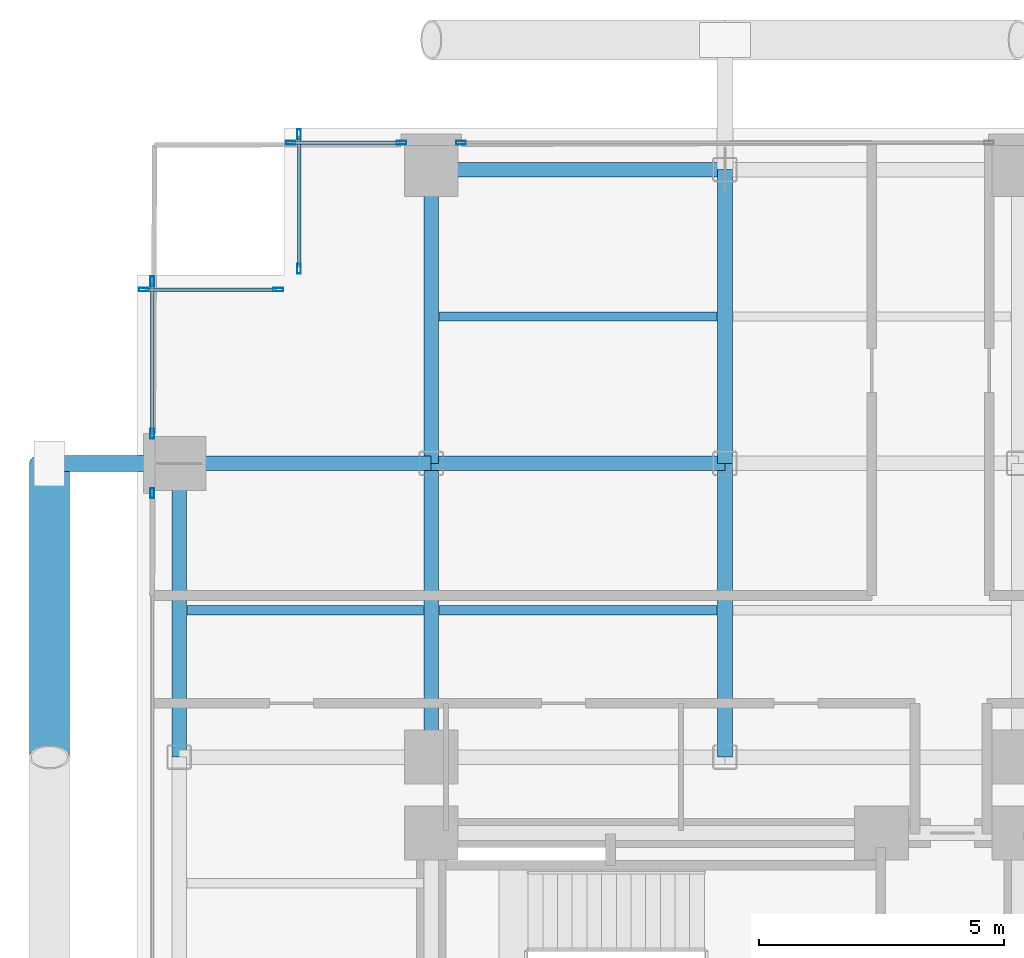
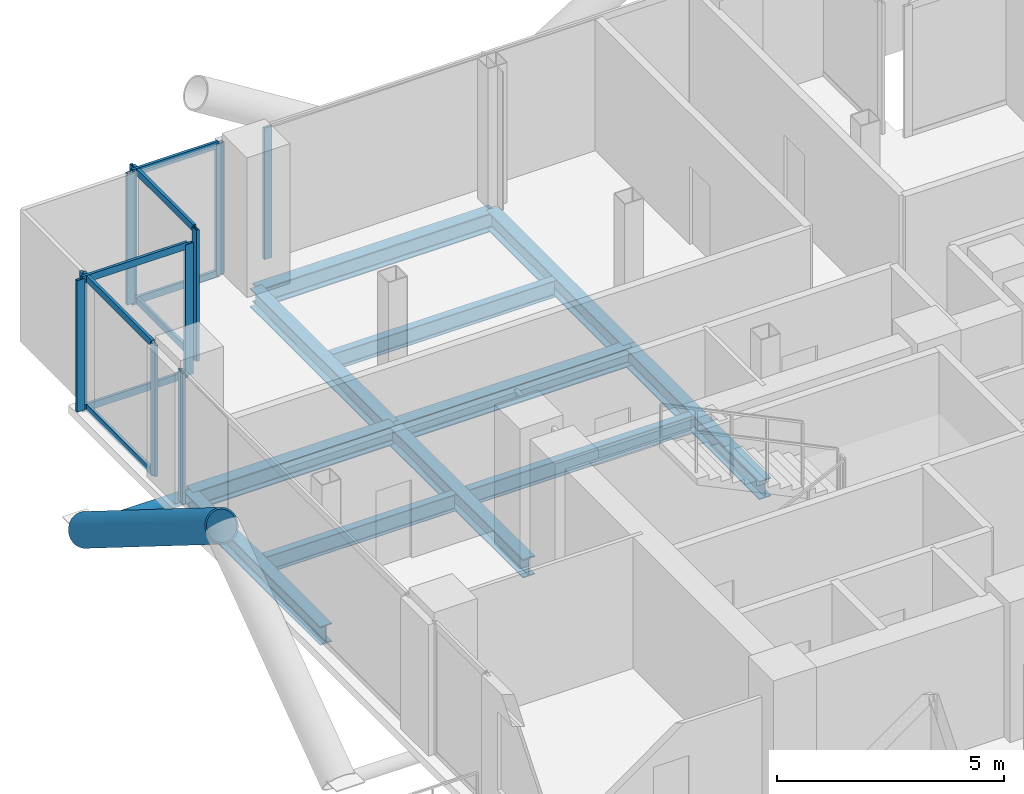
# One storey, part 14 of 24: 20 members, 11 beams, 6 elements without a shape of their own.
"""IFC4 building model written with IfcOpenShell, lengths in metres."""

from ifc_helpers import new_model, si_unit, direction, frame, origin, origin_2d, place, context, subcontext, project, spatial, hollow_rectangle, hollow_circle, i_section, extrude, material, layer, layer_set, material_profile, profile_set, type_object, element, aggregate, save


model = new_model("IFC4")

# Units and contexts
model_context = context("Model", 3, precision=1e-05, world=origin(), true_north=direction((0.0, 1.0)))
body_context = subcontext(model_context, "Body", "Model", "MODEL_VIEW")
ifc_project = project(units=[si_unit("LENGTHUNIT", "METRE"), si_unit("AREAUNIT", "SQUARE_METRE"), si_unit("VOLUMEUNIT", "CUBIC_METRE"), si_unit("PLANEANGLEUNIT", "RADIAN"), si_unit("MASSUNIT", "GRAM", prefix="KILO"), si_unit("THERMODYNAMICTEMPERATUREUNIT", "KELVIN"), si_unit("POWERUNIT", "WATT")], contexts=[model_context])

# Site, building, storey
site_placement = place(None, origin())
site = spatial("IfcSite", under=ifc_project, at=site_placement, CompositionType="ELEMENT")
building_placement = place(site_placement, origin())
building = spatial("IfcBuilding", under=site, at=building_placement, Name="Svarakhadi Broadcast Tower", CompositionType="ELEMENT")
storey_placement = place(building_placement, frame((0.0, 0.0, 145.64990234375)))
storey = spatial("IfcBuildingStorey", under=building, at=storey_placement, Name="L35", CompositionType="ELEMENT", Elevation=145.64990234375)

# Beams
ifc_material_1 = material(Name="Steel S355J2 (IS 2062 E350C)", Category="steel")
ifc_material_profile_1 = material_profile(ifc_material_1, i_section(OverallWidth=0.18994140625, OverallDepth=0.449951171875, WebThickness=0.009521484375, FlangeThickness=0.0146484375, FilletRadius=0.02099609375, at=origin_2d()), Name="NPB 450x190x78")
ifc_profile_set_1 = profile_set([ifc_material_profile_1], Name="Steel S355J2 (IS 2062 E350C)")
beam_type_1 = type_object("IfcBeamType", Name="Beam_NPB450", PredefinedType="BEAM", material=ifc_profile_set_1)
beam_1_placement = place(storey_placement, frame((1.010009765625, 32.14990234375, -0.449951171875), z_axis=(1.0, 0.0, 0.0), x_axis=(0.0, 1.0, 0.0)))
element("IfcBeam", 1, at=beam_1_placement, inside=storey, type_object=beam_type_1, Name="L35 Secondary Composite Beam SB005", PredefinedType="BEAM", context=body_context, shape_type="SweptSolid", body=[
    extrude(i_section(OverallWidth=0.18994140625, OverallDepth=0.449951171875, WebThickness=0.009521484375, FlangeThickness=0.0146484375, FilletRadius=0.02099609375, at=origin_2d()), origin(), (0.0, 0.0, 1.0), 4.830078125),
])
for number, where, z_axis, x_axis, name in (
    (2, (6.159912109375, 32.14990234375, -0.449951171875), (1.0, 0.0, 0.0), (0.0, 1.0, 0.0), "L35 Secondary Composite Beam SB009"),
    (3, (6.159912109375, 38.14990234375, -0.449951171875), (1.0, 0.0, 0.0), (0.0, 1.0, 0.0), "L35 Secondary Composite Beam SB010"),
):
    element("IfcBeam", number, at=place(storey_placement, frame(where, z_axis=z_axis, x_axis=x_axis)), inside=storey, type_object=beam_type_1, Name=name, PredefinedType="BEAM", context=body_context, shape_type="SweptSolid", body=[
        extrude(i_section(OverallWidth=0.18994140625, OverallDepth=0.449951171875, WebThickness=0.009521484375, FlangeThickness=0.0146484375, FilletRadius=0.02099609375, at=origin_2d()), origin(), (0.0, 0.0, 1.0), 5.68017578125),
    ])

# Curtain wall, member
ifc_material_2 = material(Name="Anodised Bronze Aluminium AA 6063-T6", Category="aluminium")
ifc_layer = layer(ifc_material_2, 0.199951171875)
ifc_layer_set = layer_set([ifc_layer], Name="Anodised Bronze Aluminium AA 6063-T6")
curtain_wall_type = type_object("IfcCurtainWallType", Name="CW_Sys_03", PredefinedType="NOTDEFINED", material=ifc_layer_set)
curtain_wall_1_placement = place(storey_placement, origin())
curtain_wall_1 = element("IfcCurtainWall", 4, at=curtain_wall_1_placement, inside=storey, type_object=curtain_wall_type, Name="L35 West Curtain Wall 03 Bay 2", PredefinedType="NOTDEFINED")
ifc_material_profile_2 = material_profile(ifc_material_2, hollow_rectangle(XDim=0.074951171875, YDim=0.199951171875, WallThickness=0.005615234375, at=origin_2d()), Name="ALU MULLION 200x75x6")
ifc_profile_set_2 = profile_set([ifc_material_profile_2], Name="Anodised Bronze Aluminium AA 6063-T6")
member_type_1 = type_object("IfcMemberType", Name="CW_Sys_03_Mul", PredefinedType="MULLION", material=ifc_profile_set_2)
member_1_placement = place(storey_placement, frame((0.300048828125, 34.54248046875, 0.0), z_axis=(0.0, 0.0, 1.0), x_axis=(-1.0, 0.0, 0.0)))
member_1 = element("IfcMember", 5, at=member_1_placement, type_object=member_type_1, Name="CW-03 mullion 2", PredefinedType="MULLION", context=body_context, shape_type="SweptSolid", body=[
    extrude(hollow_rectangle(XDim=0.074951171875, YDim=0.199951171875, WallThickness=0.005615234375, at=origin_2d()), origin(), (0.0, 0.0, 1.0), 3.525146484375),
])
aggregate(curtain_wall_1, [member_1])

# Curtain wall, members
curtain_wall_2_placement = place(storey_placement, origin())
curtain_wall_2 = element("IfcCurtainWall", 6, at=curtain_wall_2_placement, inside=storey, type_object=curtain_wall_type, Name="L35 West Curtain Wall 03 Bay 3", PredefinedType="NOTDEFINED")
member_2_placement = place(storey_placement, frame((0.300048828125, 35.757568359375, 0.0), z_axis=(0.0, 0.0, 1.0), x_axis=(-1.0, 0.0, 0.0)))
member_2 = element("IfcMember", 7, at=member_2_placement, type_object=member_type_1, Name="CW-03 mullion 1", PredefinedType="MULLION", context=body_context, shape_type="SweptSolid", body=[
    extrude(hollow_rectangle(XDim=0.074951171875, YDim=0.199951171875, WallThickness=0.005615234375, at=origin_2d()), origin(), (0.0, 0.0, 1.0), 3.525146484375),
])
member_3_placement = place(storey_placement, frame((0.300048828125, 38.87255859375, 0.0), z_axis=(0.0, 0.0, 1.0), x_axis=(-1.0, 0.0, 0.0)))
member_3 = element("IfcMember", 8, at=member_3_placement, type_object=member_type_1, Name="CW-03 mullion 2", PredefinedType="MULLION", context=body_context, shape_type="SweptSolid", body=[
    extrude(hollow_rectangle(XDim=0.074951171875, YDim=0.199951171875, WallThickness=0.005615234375, at=origin_2d()), origin(), (0.0, 0.0, 1.0), 3.525146484375),
])

curtain_wall_3_placement = place(storey_placement, origin())
curtain_wall_3 = element("IfcCurtainWall", 9, at=curtain_wall_3_placement, inside=storey, type_object=curtain_wall_type, Name="L35 Unitised Facade Curtain Wall 04", PredefinedType="NOTDEFINED")
member_4_placement = place(storey_placement, frame((0.12744140625, 38.699951171875, 0.0), z_axis=(0.0, 0.0, 1.0), x_axis=(0.0, 1.0, 0.0)))
member_4 = element("IfcMember", 10, at=member_4_placement, type_object=member_type_1, Name="CW-03 mullion 1", PredefinedType="MULLION", context=body_context, shape_type="SweptSolid", body=[
    extrude(hollow_rectangle(XDim=0.074951171875, YDim=0.199951171875, WallThickness=0.005615234375, at=origin_2d()), origin(), (0.0, 0.0, 1.0), 3.525146484375),
])
member_5_placement = place(storey_placement, frame((2.87255859375, 38.699951171875, 0.0), z_axis=(0.0, 0.0, 1.0), x_axis=(0.0, 1.0, 0.0)))
member_5 = element("IfcMember", 11, at=member_5_placement, type_object=member_type_1, Name="CW-03 mullion 2", PredefinedType="MULLION", context=body_context, shape_type="SweptSolid", body=[
    extrude(hollow_rectangle(XDim=0.074951171875, YDim=0.199951171875, WallThickness=0.005615234375, at=origin_2d()), origin(), (0.0, 0.0, 1.0), 3.525146484375),
])

curtain_wall_4_placement = place(storey_placement, origin())
curtain_wall_4 = element("IfcCurtainWall", 12, at=curtain_wall_4_placement, inside=storey, type_object=curtain_wall_type, Name="L35 Unitised Facade Curtain Wall 05", PredefinedType="NOTDEFINED")
member_6_placement = place(storey_placement, frame((3.300048828125, 39.12744140625, 0.0), z_axis=(0.0, 0.0, 1.0), x_axis=(-1.0, 0.0, 0.0)))
member_6 = element("IfcMember", 13, at=member_6_placement, type_object=member_type_1, Name="CW-03 mullion 1", PredefinedType="MULLION", context=body_context, shape_type="SweptSolid", body=[
    extrude(hollow_rectangle(XDim=0.074951171875, YDim=0.199951171875, WallThickness=0.005615234375, at=origin_2d()), origin(), (0.0, 0.0, 1.0), 3.525146484375),
])
member_7_placement = place(storey_placement, frame((3.300048828125, 41.87255859375, 0.0), z_axis=(0.0, 0.0, 1.0), x_axis=(-1.0, 0.0, 0.0)))
member_7 = element("IfcMember", 14, at=member_7_placement, type_object=member_type_1, Name="CW-03 mullion 2", PredefinedType="MULLION", context=body_context, shape_type="SweptSolid", body=[
    extrude(hollow_rectangle(XDim=0.074951171875, YDim=0.199951171875, WallThickness=0.005615234375, at=origin_2d()), origin(), (0.0, 0.0, 1.0), 3.525146484375),
])

curtain_wall_5_placement = place(storey_placement, origin())
curtain_wall_5 = element("IfcCurtainWall", 15, at=curtain_wall_5_placement, inside=storey, type_object=curtain_wall_type, Name="L35 Unitised Facade Curtain Wall 06 Bay 1", PredefinedType="NOTDEFINED")
member_8_placement = place(storey_placement, frame((3.12744140625, 41.699951171875, 0.0), z_axis=(0.0, 0.0, 1.0), x_axis=(0.0, 1.0, 0.0)))
member_8 = element("IfcMember", 16, at=member_8_placement, type_object=member_type_1, Name="CW-03 mullion 1", PredefinedType="MULLION", context=body_context, shape_type="SweptSolid", body=[
    extrude(hollow_rectangle(XDim=0.074951171875, YDim=0.199951171875, WallThickness=0.005615234375, at=origin_2d()), origin(), (0.0, 0.0, 1.0), 3.525146484375),
])
member_9_placement = place(storey_placement, frame((5.392578125, 41.699951171875, 0.0), z_axis=(0.0, 0.0, 1.0), x_axis=(0.0, 1.0, 0.0)))
member_9 = element("IfcMember", 17, at=member_9_placement, type_object=member_type_1, Name="CW-03 mullion 2", PredefinedType="MULLION", context=body_context, shape_type="SweptSolid", body=[
    extrude(hollow_rectangle(XDim=0.074951171875, YDim=0.199951171875, WallThickness=0.005615234375, at=origin_2d()), origin(), (0.0, 0.0, 1.0), 3.525146484375),
])

# Curtain wall, member
curtain_wall_6_placement = place(storey_placement, origin())
curtain_wall_6 = element("IfcCurtainWall", 18, at=curtain_wall_6_placement, inside=storey, type_object=curtain_wall_type, Name="L35 Unitised Facade Curtain Wall 06 Bay 2", PredefinedType="NOTDEFINED")
member_10_placement = place(storey_placement, frame((6.607421875, 41.699951171875, 0.0), z_axis=(0.0, 0.0, 1.0), x_axis=(0.0, 1.0, 0.0)))
member_10 = element("IfcMember", 19, at=member_10_placement, type_object=member_type_1, Name="CW-03 mullion 1", PredefinedType="MULLION", context=body_context, shape_type="SweptSolid", body=[
    extrude(hollow_rectangle(XDim=0.074951171875, YDim=0.199951171875, WallThickness=0.005615234375, at=origin_2d()), origin(), (0.0, 0.0, 1.0), 3.525146484375),
])
aggregate(curtain_wall_6, [member_10])

# Member
ifc_material_profile_3 = material_profile(ifc_material_2, hollow_rectangle(XDim=0.070068359375, YDim=0.18505859375, WallThickness=0.0048828125, at=origin_2d()), Name="ALU TRANSOM 185x70x5")
ifc_profile_set_3 = profile_set([ifc_material_profile_3], Name="Anodised Bronze Aluminium AA 6063-T6")
member_type_2 = type_object("IfcMemberType", Name="CW_Sys_03_Trn", PredefinedType="USERDEFINED", material=ifc_profile_set_3)
member_11_placement = place(storey_placement, frame((0.300048828125, 35.794921875, 0.03515625), z_axis=(0.0, 1.0, 0.0), x_axis=(-1.0, 0.0, 0.0)))
member_11 = element("IfcMember", 20, at=member_11_placement, type_object=member_type_2, Name="CW-03 transom 1.1", ObjectType="TRANSOM", PredefinedType="USERDEFINED", context=body_context, shape_type="SweptSolid", body=[
    extrude(hollow_rectangle(XDim=0.070068359375, YDim=0.18505859375, WallThickness=0.0048828125, at=origin_2d()), origin(), (0.0, 0.0, 1.0), 3.0400390625),
])

member_12_placement = place(storey_placement, frame((0.300048828125, 35.794921875, 3.489990234375), z_axis=(0.0, 1.0, 0.0), x_axis=(-1.0, 0.0, 0.0)))
member_12 = element("IfcMember", 21, at=member_12_placement, type_object=member_type_2, Name="CW-03 transom 1.2", ObjectType="TRANSOM", PredefinedType="USERDEFINED", context=body_context, shape_type="SweptSolid", body=[
    extrude(hollow_rectangle(XDim=0.070068359375, YDim=0.18505859375, WallThickness=0.0048828125, at=origin_2d()), origin(), (0.0, 0.0, 1.0), 3.0400390625),
])

aggregate(curtain_wall_2, [member_2, member_3, member_11, member_12])

member_13_placement = place(storey_placement, frame((0.1650390625, 38.699951171875, 0.03515625), z_axis=(1.0, 0.0, 0.0), x_axis=(0.0, 1.0, 0.0)))
member_13 = element("IfcMember", 22, at=member_13_placement, type_object=member_type_2, Name="CW-03 transom 1.1", ObjectType="TRANSOM", PredefinedType="USERDEFINED", context=body_context, shape_type="SweptSolid", body=[
    extrude(hollow_rectangle(XDim=0.070068359375, YDim=0.18505859375, WallThickness=0.0048828125, at=origin_2d()), origin(), (0.0, 0.0, 1.0), 2.669921875),
])

member_14_placement = place(storey_placement, frame((0.1650390625, 38.699951171875, 3.489990234375), z_axis=(1.0, 0.0, 0.0), x_axis=(0.0, 1.0, 0.0)))
member_14 = element("IfcMember", 23, at=member_14_placement, type_object=member_type_2, Name="CW-03 transom 1.2", ObjectType="TRANSOM", PredefinedType="USERDEFINED", context=body_context, shape_type="SweptSolid", body=[
    extrude(hollow_rectangle(XDim=0.070068359375, YDim=0.18505859375, WallThickness=0.0048828125, at=origin_2d()), origin(), (0.0, 0.0, 1.0), 2.669921875),
])

aggregate(curtain_wall_3, [member_4, member_5, member_13, member_14])

member_15_placement = place(storey_placement, frame((3.300048828125, 39.1650390625, 0.03515625), z_axis=(0.0, 1.0, 0.0), x_axis=(-1.0, 0.0, 0.0)))
member_15 = element("IfcMember", 24, at=member_15_placement, type_object=member_type_2, Name="CW-03 transom 1.1", ObjectType="TRANSOM", PredefinedType="USERDEFINED", context=body_context, shape_type="SweptSolid", body=[
    extrude(hollow_rectangle(XDim=0.070068359375, YDim=0.18505859375, WallThickness=0.0048828125, at=origin_2d()), origin(), (0.0, 0.0, 1.0), 2.669921875),
])

member_16_placement = place(storey_placement, frame((3.300048828125, 39.1650390625, 3.489990234375), z_axis=(0.0, 1.0, 0.0), x_axis=(-1.0, 0.0, 0.0)))
member_16 = element("IfcMember", 25, at=member_16_placement, type_object=member_type_2, Name="CW-03 transom 1.2", ObjectType="TRANSOM", PredefinedType="USERDEFINED", context=body_context, shape_type="SweptSolid", body=[
    extrude(hollow_rectangle(XDim=0.070068359375, YDim=0.18505859375, WallThickness=0.0048828125, at=origin_2d()), origin(), (0.0, 0.0, 1.0), 2.669921875),
])

aggregate(curtain_wall_4, [member_6, member_7, member_15, member_16])

member_17_placement = place(storey_placement, frame((3.1650390625, 41.699951171875, 0.03515625), z_axis=(1.0, 0.0, 0.0), x_axis=(0.0, 1.0, 0.0)))
member_17 = element("IfcMember", 26, at=member_17_placement, type_object=member_type_2, Name="CW-03 transom 1.1", ObjectType="TRANSOM", PredefinedType="USERDEFINED", context=body_context, shape_type="SweptSolid", body=[
    extrude(hollow_rectangle(XDim=0.070068359375, YDim=0.18505859375, WallThickness=0.0048828125, at=origin_2d()), origin(), (0.0, 0.0, 1.0), 2.18994140625),
])

member_18_placement = place(storey_placement, frame((3.1650390625, 41.699951171875, 3.489990234375), z_axis=(1.0, 0.0, 0.0), x_axis=(0.0, 1.0, 0.0)))
member_18 = element("IfcMember", 27, at=member_18_placement, type_object=member_type_2, Name="CW-03 transom 1.2", ObjectType="TRANSOM", PredefinedType="USERDEFINED", context=body_context, shape_type="SweptSolid", body=[
    extrude(hollow_rectangle(XDim=0.070068359375, YDim=0.18505859375, WallThickness=0.0048828125, at=origin_2d()), origin(), (0.0, 0.0, 1.0), 2.18994140625),
])

aggregate(curtain_wall_5, [member_8, member_9, member_17, member_18])

# Members
ifc_material_3 = material(Name="Steel S460ML (IS 2062 E450BR)", Category="steel")
ifc_material_profile_4 = material_profile(ifc_material_3, hollow_circle(Radius=0.406494140625, WallThickness=0.0400390625, at=origin_2d()), Name="CHS 813x40")
ifc_profile_set_4 = profile_set([ifc_material_profile_4], Name="Steel S460ML (IS 2062 E450BR)")
member_type_3 = type_object("IfcMemberType", Name="Exo_Brace_CHS813", PredefinedType="BRACE", material=ifc_profile_set_4)
member_19_placement = place(storey_placement, frame((-1.800048828125, 35.14990234375, -0.386962890625), z_axis=(0.0, -0.847998304005, 0.529998940003), x_axis=(1.0, 0.0, 0.0)))
element("IfcMember", 28, at=member_19_placement, inside=storey, type_object=member_type_3, Name="L35 Exposed Bronze Exoskeleton Diagonal W05", PredefinedType="BRACE", context=body_context, shape_type="SweptSolid", body=[
    extrude(hollow_circle(Radius=0.406494140625, WallThickness=0.0400390625, at=origin_2d()), origin(), (0.0, 0.0, 1.0), 7.075439453125),
])
ifc_material_profile_5 = material_profile(ifc_material_3, hollow_circle(Radius=0.161865234375, WallThickness=0.01611328125, at=origin_2d()), Name="CHS 323.9x16")
ifc_profile_set_5 = profile_set([ifc_material_profile_5], Name="Steel S460ML (IS 2062 E450BR)")
member_type_4 = type_object("IfcMemberType", Name="Exo_Radial_Strut_Z2", PredefinedType="STRUT", material=ifc_profile_set_5)
member_20_placement = place(storey_placement, frame((-1.800048828125, 35.14990234375, -0.386962890625), z_axis=(1.0, 0.0, 0.0), x_axis=(0.0, 1.0, 0.0)))
element("IfcMember", 29, at=member_20_placement, inside=storey, type_object=member_type_4, Name="L35 Exoskeleton Radial Tie Strut W04", PredefinedType="STRUT", context=body_context, shape_type="SweptSolid", body=[
    extrude(hollow_circle(Radius=0.161865234375, WallThickness=0.01611328125, at=origin_2d()), origin(), (0.0, 0.0, 1.0), 2.650146484375),
])

# Beams
ifc_material_profile_6 = material_profile(ifc_material_1, i_section(OverallWidth=0.300048828125, OverallDepth=0.5, WebThickness=0.014404296875, FlangeThickness=0.028076171875, FilletRadius=0.027099609375, at=origin_2d()), Name="WPB 500x300x187")
ifc_profile_set_6 = profile_set([ifc_material_profile_6], Name="Steel S355J2 (IS 2062 E350C)")
beam_type_2 = type_object("IfcBeamType", Name="Girder_WPB500", PredefinedType="USERDEFINED", material=ifc_profile_set_6)
beam_2_placement = place(storey_placement, frame((0.85009765625, 35.14990234375, -0.474853515625), z_axis=(1.0, 0.0, 0.0), x_axis=(0.0, 1.0, 0.0)))
element("IfcBeam", 30, at=beam_2_placement, inside=storey, type_object=beam_type_2, Name="L35 Primary E-W Girder G035", ObjectType="GIRDER", PredefinedType="USERDEFINED", context=body_context, shape_type="SweptSolid", body=[
    extrude(i_section(OverallWidth=0.300048828125, OverallDepth=0.5, WebThickness=0.014404296875, FlangeThickness=0.028076171875, FilletRadius=0.027099609375, at=origin_2d()), origin(), (0.0, 0.0, 1.0), 5.14990234375),
])
for number, where, z_axis, x_axis, name in (
    (31, (6.0, 35.14990234375, -0.474853515625), (1.0, 0.0, 0.0), (0.0, 1.0, 0.0), "L35 Primary E-W Girder G036"),
    (32, (6.0, 41.14990234375, -0.474853515625), (1.0, 0.0, 0.0), (0.0, 1.0, 0.0), "L35 Primary E-W Girder G038"),
    (33, (0.85009765625, 29.14990234375, -0.474853515625), (0.0, 1.0, 0.0), (-1.0, 0.0, 0.0), "L35 Primary N-S Girder G044"),
    (34, (6.0, 29.14990234375, -0.474853515625), (0.0, 1.0, 0.0), (-1.0, 0.0, 0.0), "L35 Primary N-S Girder G049"),
    (35, (6.0, 35.14990234375, -0.474853515625), (0.0, 1.0, 0.0), (-1.0, 0.0, 0.0), "L35 Primary N-S Girder G050"),
    (36, (12.0, 29.14990234375, -0.474853515625), (0.0, 1.0, 0.0), (-1.0, 0.0, 0.0), "L35 Primary N-S Girder G054"),
    (37, (12.0, 35.14990234375, -0.474853515625), (0.0, 1.0, 0.0), (-1.0, 0.0, 0.0), "L35 Primary N-S Girder G055"),
):
    element("IfcBeam", number, at=place(storey_placement, frame(where, z_axis=z_axis, x_axis=x_axis)), inside=storey, type_object=beam_type_2, Name=name, ObjectType="GIRDER", PredefinedType="USERDEFINED", context=body_context, shape_type="SweptSolid", body=[
        extrude(i_section(OverallWidth=0.300048828125, OverallDepth=0.5, WebThickness=0.014404296875, FlangeThickness=0.028076171875, FilletRadius=0.027099609375, at=origin_2d()), origin(), (0.0, 0.0, 1.0), 6.0),
    ])

save(model, "model.ifc")
